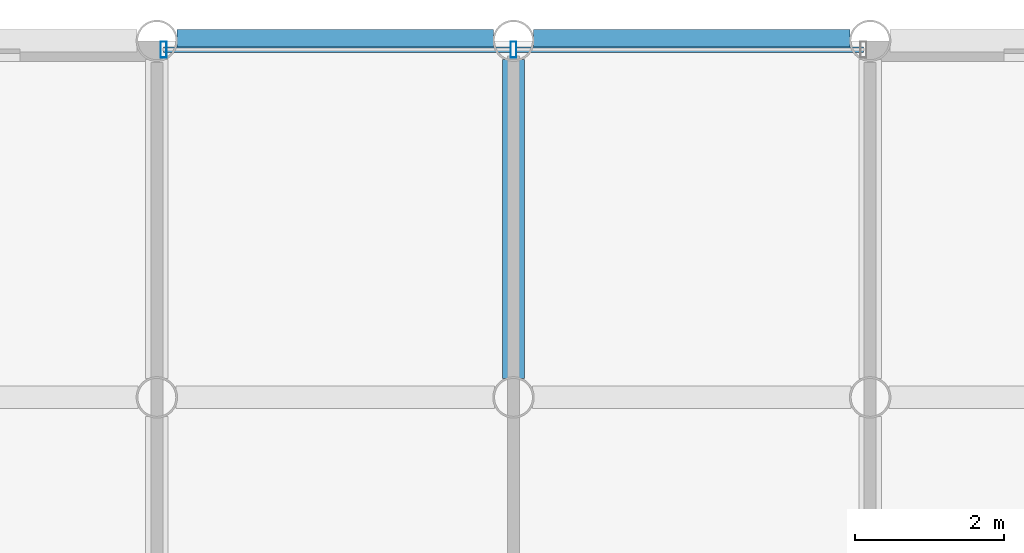
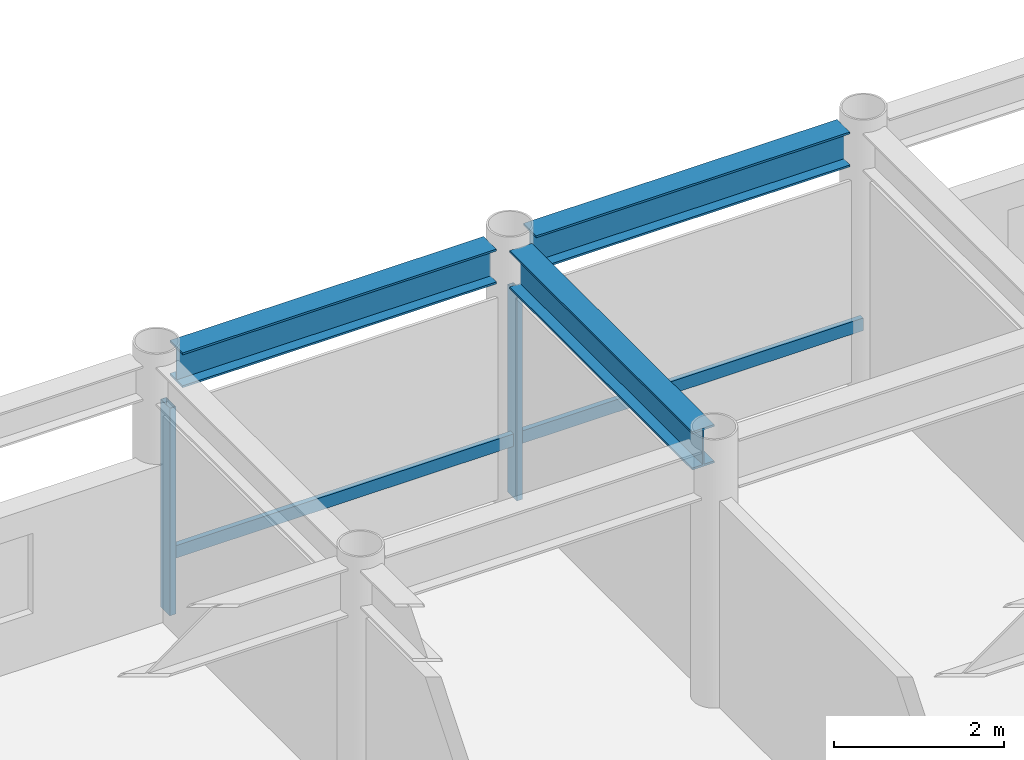
# One storey, part 14 of 23: 4 members, 3 beams, 1 element without a shape of its own.
"""IFC4 building model written with IfcOpenShell, lengths in metres."""

import ifcopenshell
import ifcopenshell.guid

model = None  # the IFC model being written
_history = None  # IfcOwnerHistory: only IFC2X3 demands one
_inside = {}  # id of a spatial element -> (the spatial element, [elements in it])
_under = {}  # id of a project, library or spatial element -> (it, [spatial elements below it])
_declared = {}  # id of a project -> (the project, [libraries it declares])
_typed = {}  # id of a type object -> (the type object, [elements of that type])
_made_of = {}  # id of a material, layer set ... -> (it, [elements and type objects made of it])


def new_model(schema):
    """Start an empty IFC model of exactly this schema.

    Asked for "IFC4X3", IfcOpenShell would pick the latest addendum, in which some entities
    have other attributes; the version numbers below select the first issue.
    IFC2X3 requires an IfcOwnerHistory on every rooted entity: one is made here for all.
    """
    global model, _history
    if schema == "IFC4X3":
        model = ifcopenshell.file(schema_version=(4, 3, 0, 0))
    else:
        model = ifcopenshell.file(schema=schema)
    _inside.clear()
    _under.clear()
    _declared.clear()
    _typed.clear()
    _made_of.clear()
    _history = None
    if model.schema == "IFC2X3":
        org = make("IfcOrganization", Name="unknown")
        user = make(
            "IfcPersonAndOrganization",
            ThePerson=make("IfcPerson", FamilyName="unknown"),
            TheOrganization=org,
        )
        app = make(
            "IfcApplication",
            ApplicationDeveloper=org,
            Version="unknown",
            ApplicationFullName="unknown",
            ApplicationIdentifier="unknown",
        )
        _history = make(
            "IfcOwnerHistory",
            OwningUser=user,
            OwningApplication=app,
            ChangeAction="ADDED",
            CreationDate=0,
        )
    return model


def make(cls, **values):
    """One entity of the class cls with the attributes given. An attribute that is None is left unset."""
    return model.create_entity(
        cls, **{name: value for name, value in values.items() if value is not None}
    )


def rooted(cls, **values):
    """An entity with a GlobalId (a new one), such as an element, a storey or a relation."""
    return make(cls, GlobalId=ifcopenshell.guid.new(), OwnerHistory=_history, **values)


def si_unit(unit_type, name, prefix=None):
    """IfcSIUnit, for example si_unit("LENGTHUNIT", "METRE", prefix="MILLI")."""
    return make("IfcSIUnit", UnitType=unit_type, Prefix=prefix, Name=name)


def assignment(units):
    """IfcUnitAssignment: the units of a project."""
    return None if units is None else make("IfcUnitAssignment", Units=units)


def point(xyz):
    """IfcCartesianPoint."""
    return None if xyz is None else make("IfcCartesianPoint", Coordinates=xyz)


def direction(xyz):
    """IfcDirection."""
    return None if xyz is None else make("IfcDirection", DirectionRatios=xyz)


def frame(location, z_axis=None, x_axis=None):
    """IfcAxis2Placement3D, a coordinate frame: its origin and axes. An axis left out is left unset."""
    return make(
        "IfcAxis2Placement3D",
        Location=point(location),
        Axis=direction(z_axis),
        RefDirection=direction(x_axis),
    )


def frame_2d(location, x_axis=None):
    """IfcAxis2Placement2D, a coordinate frame in the plane: its origin and x axis."""
    return make(
        "IfcAxis2Placement2D", Location=point(location), RefDirection=direction(x_axis)
    )


def origin():
    """The frame at (0, 0, 0) with its axes left unset."""
    return frame((0.0, 0.0, 0.0))


def origin_2d():
    """The frame at (0, 0) in the plane with its x axis left unset."""
    return frame_2d((0.0, 0.0))


def place(relative_to, where):
    """IfcLocalPlacement: puts the frame where relative to a parent placement (None: the world)."""
    return make(
        "IfcLocalPlacement", PlacementRelTo=relative_to, RelativePlacement=where
    )


def context(
    kind, dimensions, precision=None, world=None, true_north=None, identifier=None
):
    """IfcGeometricRepresentationContext, for example the 3D "Model" context."""
    return make(
        "IfcGeometricRepresentationContext",
        ContextIdentifier=identifier,
        ContextType=kind,
        CoordinateSpaceDimension=dimensions,
        Precision=precision,
        WorldCoordinateSystem=world,
        TrueNorth=true_north,
    )


def subcontext(parent, identifier, kind, view, scale=None):
    """IfcGeometricRepresentationSubContext, for example "Body" below "Model"."""
    return make(
        "IfcGeometricRepresentationSubContext",
        ContextIdentifier=identifier,
        ContextType=kind,
        ParentContext=parent,
        TargetScale=scale,
        TargetView=view,
    )


def project(units=None, contexts=None):
    """IfcProject with its units and contexts."""
    return rooted(
        "IfcProject",
        Name="project",
        RepresentationContexts=contexts,
        UnitsInContext=assignment(units),
    )


def spatial(cls, under=None, at=None, **own):
    """A site, building, storey or space (cls), placed at a placement, below another one or the project."""
    s = rooted(cls, ObjectPlacement=at, **own)
    if under is not None:
        _under.setdefault(under.id(), (under, []))[1].append(s)
    return s


def profile(cls, at=None, kind="AREA", **sizes):
    """A parametric profile (cls). Its sizes go by their IFC names, for example OverallWidth=200.0."""
    return make(cls, ProfileType=kind, Position=at, **sizes)


def hollow_rectangle(**sizes):
    """IfcRectangleHollowProfileDef."""
    return profile("IfcRectangleHollowProfileDef", **sizes)


def i_section(**sizes):
    """IfcIShapeProfileDef."""
    return profile("IfcIShapeProfileDef", **sizes)


def extrude(swept, where, along, depth):
    """IfcExtrudedAreaSolid: the profile swept, set in the frame where, extruded along a direction by depth."""
    return make(
        "IfcExtrudedAreaSolid",
        SweptArea=swept,
        Position=where,
        ExtrudedDirection=direction(along),
        Depth=depth,
    )


def shape(context_of_items, identifier, shape_type, items):
    """IfcShapeRepresentation: the items that make up one representation, for example the "Body"."""
    return make(
        "IfcShapeRepresentation",
        ContextOfItems=context_of_items,
        RepresentationIdentifier=identifier,
        RepresentationType=shape_type,
        Items=items,
    )


def material(Name=None, Category=None):
    """IfcMaterial."""
    return make("IfcMaterial", Name=Name, Category=Category)


def layer(
    of_material, thickness, ventilated=None, Name=None, Category=None, Priority=None
):
    """IfcMaterialLayer: one layer of a wall or slab, of a material (None: an air gap)."""
    return make(
        "IfcMaterialLayer",
        Material=of_material,
        LayerThickness=thickness,
        IsVentilated=ventilated,
        Name=Name,
        Category=Category,
        Priority=Priority,
    )


def layer_set(layers, Name=None):
    """IfcMaterialLayerSet."""
    return make("IfcMaterialLayerSet", MaterialLayers=layers, LayerSetName=Name)


def material_profile(
    of_material, cross_section, Name=None, Category=None, Priority=None
):
    """IfcMaterialProfile: a cross section and its material."""
    return make(
        "IfcMaterialProfile",
        Name=Name,
        Material=of_material,
        Profile=cross_section,
        Priority=Priority,
        Category=Category,
    )


def profile_set(profiles, Name=None, composite=None):
    """IfcMaterialProfileSet."""
    return make(
        "IfcMaterialProfileSet",
        Name=Name,
        MaterialProfiles=profiles,
        CompositeProfile=composite,
    )


def made_of(thing, what):
    """Note that an element or type object is made of a material, layer set ...; save() writes the relation."""
    if what is not None:
        _made_of.setdefault(what.id(), (what, []))[1].append(thing)
    return thing


def type_object(cls, material=None, **own):
    """A type object (cls), such as IfcWallType, which elements share."""
    return made_of(rooted(cls, **own), material)


def element(
    cls,
    number,
    at=None,
    inside=None,
    cuts=None,
    type_object=None,
    material=None,
    context=None,
    identifier="Body",
    shape_type=None,
    held_by="IfcProductDefinitionShape",
    body=None,
    shapes=None,
    **own,
):
    """One element of the class cls, such as IfcWall. Its Tag is "e" and its number.

    at: its placement. inside: the storey or other place that contains it. cuts: it is an
    opening in that element (IfcRelVoidsElement). A single representation is given by context,
    identifier, shape_type and body (its items); several are given by shapes. held_by: the class
    of the entity that holds the representations. save() writes the other relations.
    """
    e = rooted(cls, Tag="e%d" % number, ObjectPlacement=at, **own)
    if body is not None:
        shapes = [shape(context, identifier, shape_type, body)]
    if shapes is not None:
        e.Representation = make(held_by, Representations=shapes)
    if inside is not None:
        _inside.setdefault(inside.id(), (inside, []))[1].append(e)
    if cuts is not None:
        rooted(
            "IfcRelVoidsElement", RelatingBuildingElement=cuts, RelatedOpeningElement=e
        )
    if type_object is not None:
        _typed.setdefault(type_object.id(), (type_object, []))[1].append(e)
    return made_of(e, material)


def aggregate(whole, parts):
    """IfcRelAggregates: a whole, such as a stair, and the parts it consists of."""
    return rooted("IfcRelAggregates", RelatingObject=whole, RelatedObjects=parts)


def save(model, path):
    """Write the relations noted so far, then the file.

    IfcRelAggregates (storeys below a building ...), IfcRelContainedInSpatialStructure (elements
    in a storey), IfcRelDefinesByType, IfcRelAssociatesMaterial and IfcRelDeclares: one each for
    every whole, place, type object, material and project.
    """
    for whole, parts in _under.values():
        aggregate(whole, parts)
    for where, things in _inside.values():
        rooted(
            "IfcRelContainedInSpatialStructure",
            RelatedElements=things,
            RelatingStructure=where,
        )
    for kind, things in _typed.values():
        rooted("IfcRelDefinesByType", RelatedObjects=things, RelatingType=kind)
    for what, things in _made_of.values():
        rooted("IfcRelAssociatesMaterial", RelatedObjects=things, RelatingMaterial=what)
    for by, libraries in _declared.values():
        rooted("IfcRelDeclares", RelatingContext=by, RelatedDefinitions=libraries)
    model.write(path)


model = new_model("IFC4")

# Units and contexts
model_context = context("Model", 3, precision=1e-05, world=origin(), true_north=direction((0.0, 1.0)))
body_context = subcontext(model_context, "Body", "Model", "MODEL_VIEW")
ifc_project = project(units=[si_unit("LENGTHUNIT", "METRE"), si_unit("AREAUNIT", "SQUARE_METRE"), si_unit("VOLUMEUNIT", "CUBIC_METRE"), si_unit("PLANEANGLEUNIT", "RADIAN"), si_unit("MASSUNIT", "GRAM", prefix="KILO")], contexts=[model_context])

# Site, building, storey
site_placement = place(None, origin())
site = spatial("IfcSite", under=ifc_project, at=site_placement, CompositionType="ELEMENT")
building_placement = place(site_placement, origin())
building = spatial("IfcBuilding", under=site, at=building_placement, Name="Kallvorn Hotel Tower", CompositionType="ELEMENT")
storey_placement = place(building_placement, frame((0.0, 0.0, 237.699951171875)))
storey = spatial("IfcBuildingStorey", under=building, at=storey_placement, Name="L59", CompositionType="ELEMENT", Elevation=237.699951171875)

# Beams
ifc_material_1 = material(Name="Structural steel S355JR", Category="steel")
ifc_material_profile_1 = material_profile(ifc_material_1, i_section(OverallWidth=0.300048828125, OverallDepth=0.5, WebThickness=0.014404296875, FlangeThickness=0.028076171875, at=origin_2d()), Name="HE 500 B")
ifc_profile_set_1 = profile_set([ifc_material_profile_1], Name="Structural steel S355JR")
beam_type_1 = type_object("IfcBeamType", Name="BM_HE500B", PredefinedType="SPANDREL", material=ifc_profile_set_1)
for number, where, z_axis, x_axis, name in (
    (1, (-4.530517578125, 24.0, 3.420166015625), (1.0, 0.0, 0.0), (0.0, 1.0, 0.0), "L60 Perimeter Spandrel 167"),
    (2, (0.26953125, 24.0, 3.420166015625), (1.0, 0.0, 0.0), (0.0, 1.0, 0.0), "L60 Perimeter Spandrel 168"),
):
    element("IfcBeam", number, at=place(storey_placement, frame(where, z_axis=z_axis, x_axis=x_axis)), inside=storey, type_object=beam_type_1, Name=name, PredefinedType="SPANDREL", context=body_context, shape_type="SweptSolid", body=[
        extrude(i_section(OverallWidth=0.300048828125, OverallDepth=0.5, WebThickness=0.014404296875, FlangeThickness=0.028076171875, at=origin_2d()), origin(), (0.0, 0.0, 1.0), 4.260986328125),
    ])
ifc_material_2 = material(Name="Structural steel S355JR", Category="steel")
ifc_material_profile_2 = material_profile(ifc_material_2, i_section(OverallWidth=0.300048828125, OverallDepth=0.550048828125, WebThickness=0.014892578125, FlangeThickness=0.029052734375, at=origin_2d()), Name="HE 550 B")
ifc_profile_set_2 = profile_set([ifc_material_profile_2], Name="Structural steel S355JR")
beam_type_2 = type_object("IfcBeamType", Name="BM_HE550B", PredefinedType="SPANDREL", material=ifc_profile_set_2)
beam_placement = place(storey_placement, frame((0.0, 19.45458984375, 3.39501953125), z_axis=(0.0, 1.0, 0.0), x_axis=(-1.0, 0.0, 0.0)))
element("IfcBeam", 3, at=beam_placement, inside=storey, type_object=beam_type_2, Name="L60 Primary Y-Girder 112", PredefinedType="SPANDREL", context=body_context, shape_type="SweptSolid", body=[
    extrude(i_section(OverallWidth=0.300048828125, OverallDepth=0.550048828125, WebThickness=0.014892578125, FlangeThickness=0.029052734375, at=origin_2d()), origin(), (0.0, 0.0, 1.0), 4.291015625),
])

# Curtain wall, members
ifc_material_3 = material(Name="Thermally broken black-anodised aluminium AA 6063-T6", Category="aluminium")
ifc_layer = layer(ifc_material_3, 0.22998046875)
ifc_layer_set = layer_set([ifc_layer], Name="CW_SYS_5_HOTEL_HIGH")
curtain_wall_type = type_object("IfcCurtainWallType", Name="CW_SYS_5_HOTEL_HIGH", PredefinedType="USERDEFINED", material=ifc_layer_set)
curtain_wall_placement = place(storey_placement, origin())
curtain_wall = element("IfcCurtainWall", 4, at=curtain_wall_placement, inside=storey, type_object=curtain_wall_type, Name="L59 Dark-Glass Curtain Wall CW-L59-NC", ObjectType="UNITISED CURTAIN WALL", PredefinedType="USERDEFINED")
ifc_material_4 = material(Name="Thermally broken black-anodised aluminium AA 6063-T6", Category="aluminium")
ifc_material_profile_3 = material_profile(ifc_material_4, hollow_rectangle(XDim=0.080078125, YDim=0.219970703125, WallThickness=0.0048828125, at=origin_2d()), Name="MUL 220x80")
ifc_profile_set_3 = profile_set([ifc_material_profile_3], Name="Thermally broken black-anodised aluminium AA 6063-T6")
member_type_1 = type_object("IfcMemberType", Name="CW_MULLION_220x80", PredefinedType="MULLION", material=ifc_profile_set_3)
member_1_placement = place(storey_placement, frame((-4.7099609375, 23.8798828125, 0.02001953125), z_axis=(0.0, 0.0, 1.0), x_axis=(1.0, 0.0, 0.0)))
member_1 = element("IfcMember", 5, at=member_1_placement, type_object=member_type_1, Name="CW-L59-NC Mullion 00", PredefinedType="MULLION", context=body_context, shape_type="SweptSolid", body=[
    extrude(hollow_rectangle(XDim=0.080078125, YDim=0.219970703125, WallThickness=0.0048828125, at=origin_2d()), origin(), (0.0, 0.0, 1.0), 2.97998046875),
])
member_2_placement = place(storey_placement, frame((0.0, 23.8798828125, 0.02001953125), z_axis=(0.0, 0.0, 1.0), x_axis=(1.0, 0.0, 0.0)))
member_2 = element("IfcMember", 6, at=member_2_placement, type_object=member_type_1, Name="CW-L59-NC Mullion 01", PredefinedType="MULLION", context=body_context, shape_type="SweptSolid", body=[
    extrude(hollow_rectangle(XDim=0.080078125, YDim=0.219970703125, WallThickness=0.0048828125, at=origin_2d()), origin(), (0.0, 0.0, 1.0), 2.97998046875),
])
ifc_material_5 = material(Name="Thermally broken black-anodised aluminium AA 6063-T6", Category="aluminium")
ifc_material_profile_4 = material_profile(ifc_material_5, hollow_rectangle(XDim=0.070068359375, YDim=0.179931640625, WallThickness=0.00390625, at=origin_2d()), Name="TRN 180x70")
ifc_profile_set_4 = profile_set([ifc_material_profile_4], Name="Thermally broken black-anodised aluminium AA 6063-T6")
member_type_2 = type_object("IfcMemberType", Name="CW_TRANSOM_180x70", PredefinedType="USERDEFINED", material=ifc_profile_set_4)
member_3_placement = place(storey_placement, frame((-4.7099609375, 23.8798828125, 0.85009765625), z_axis=(1.0, 0.0, 0.0), x_axis=(0.0, 1.0, 0.0)))
member_3 = element("IfcMember", 7, at=member_3_placement, type_object=member_type_2, Name="CW-L59-NC Transom 00M", ObjectType="TRANSOM", PredefinedType="USERDEFINED", context=body_context, shape_type="SweptSolid", body=[
    extrude(hollow_rectangle(XDim=0.070068359375, YDim=0.179931640625, WallThickness=0.00390625, at=origin_2d()), origin(), (0.0, 0.0, 1.0), 4.669921875),
])
member_4_placement = place(storey_placement, frame((0.0400390625, 23.8798828125, 0.85009765625), z_axis=(1.0, 0.0, 0.0), x_axis=(0.0, 1.0, 0.0)))
member_4 = element("IfcMember", 8, at=member_4_placement, type_object=member_type_2, Name="CW-L59-NC Transom 01M", ObjectType="TRANSOM", PredefinedType="USERDEFINED", context=body_context, shape_type="SweptSolid", body=[
    extrude(hollow_rectangle(XDim=0.070068359375, YDim=0.179931640625, WallThickness=0.00390625, at=origin_2d()), origin(), (0.0, 0.0, 1.0), 4.669921875),
])
aggregate(curtain_wall, [member_1, member_2, member_3, member_4])

save(model, "model.ifc")
